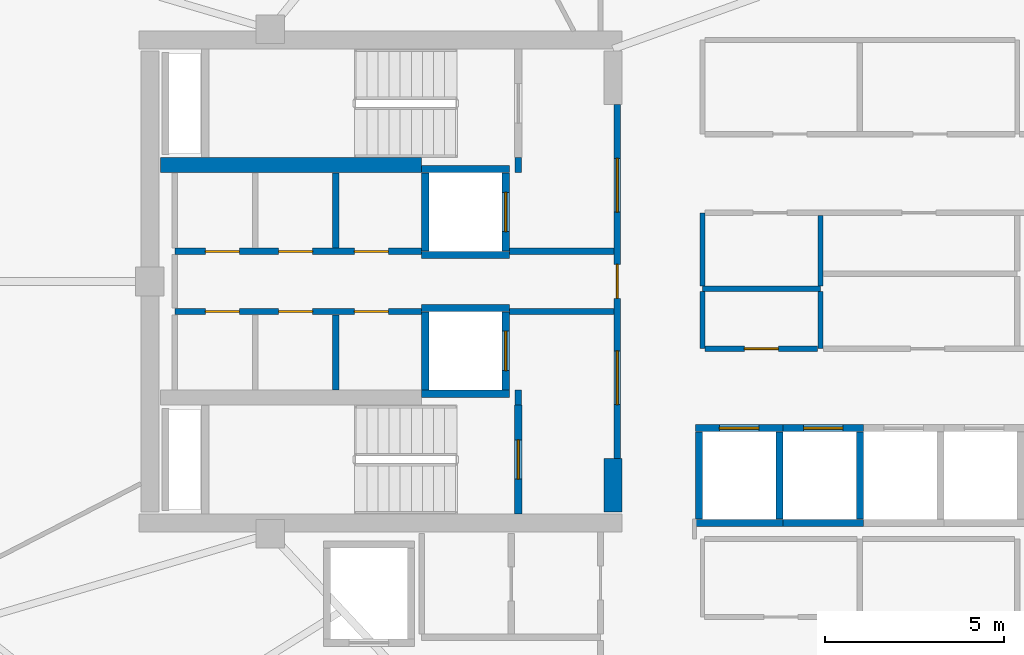
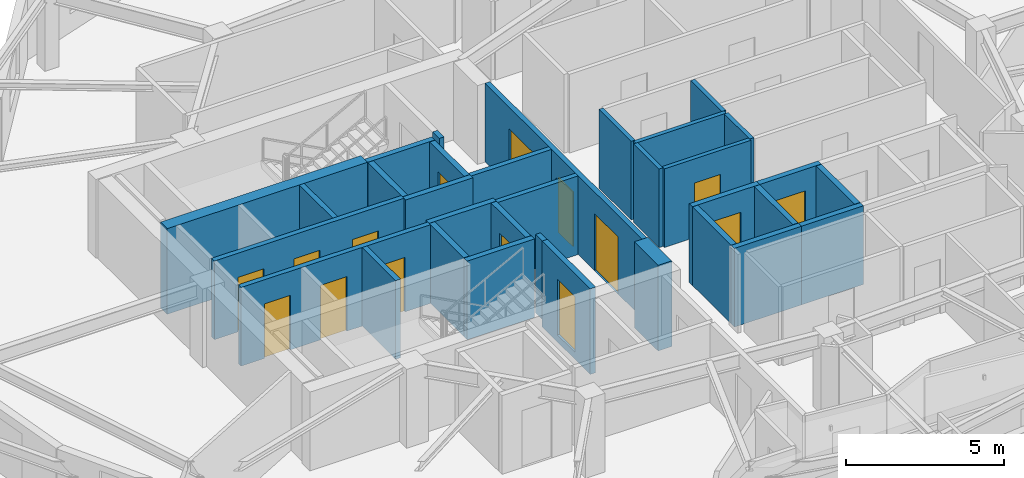
# One storey, part 4 of 14: 33 walls, 15 doors, 15 openings.
"""IFC4 building model written with IfcOpenShell, lengths in metres."""

from ifc_helpers import new_model, si_unit, direction, frame, frame_2d, origin, place, context, subcontext, project, spatial, rectangle, extrude, material, layer, layer_set, type_object, element, fill, save


model = new_model("IFC4")

# Units and contexts
model_context = context("Model", 3, precision=1e-05, world=origin(), true_north=direction((0.0, 1.0)))
body_context = subcontext(model_context, "Body", "Model", "MODEL_VIEW")
ifc_project = project(units=[si_unit("LENGTHUNIT", "METRE"), si_unit("AREAUNIT", "SQUARE_METRE"), si_unit("VOLUMEUNIT", "CUBIC_METRE"), si_unit("PLANEANGLEUNIT", "RADIAN"), si_unit("MASSUNIT", "GRAM", prefix="KILO")], contexts=[model_context])

# Site, building, storey
site_placement = place(None, origin())
site = spatial("IfcSite", under=ifc_project, at=site_placement, CompositionType="ELEMENT")
building_placement = place(site_placement, origin())
building = spatial("IfcBuilding", under=site, at=building_placement, Name="Kolvaren Gate Tower and Convention Centre", CompositionType="ELEMENT")
storey_placement = place(building_placement, frame((0.0, 0.0, 216.199951171875)))
storey = spatial("IfcBuildingStorey", under=building, at=storey_placement, Name="L57", CompositionType="ELEMENT", Elevation=216.199951171875)

# Walls
ifc_material_1 = material(Name="Autoclaved Aerated Masonry Blockwork Class 4 (4.0 MPa)", Category="masonry")
ifc_layer_1 = layer(ifc_material_1, 0.179931640625)
ifc_layer_set_1 = layer_set([ifc_layer_1], Name="Autoclaved Aerated Masonry Blockwork Class 4 (4.0 MPa)")
wall_type_1 = type_object("IfcWallType", Name="ARCH-WL-COMP-180", PredefinedType="SOLIDWALL", material=ifc_layer_set_1)
for number, where, z_axis, x_axis, name in (
    (1, (24.85009765625, 23.5400390625, 0.0), (0.0, 0.0, 1.0), (0.0, 1.0, 0.0), "Interior Partition WL-L57-INT-001"),
    (2, (24.85009765625, 30.0400390625, 0.0), (0.0, 0.0, 1.0), (0.0, 1.0, 0.0), "Interior Partition WL-L57-INT-002"),
):
    element("IfcWall", number, at=place(storey_placement, frame(where, z_axis=z_axis, x_axis=x_axis)), inside=storey, type_object=wall_type_1, Name=name, PredefinedType="SOLIDWALL", context=body_context, shape_type="SweptSolid", body=[
        extrude(rectangle(XDim=0.419921875, YDim=0.179931640625, at=frame_2d((0.2099609375, 0.0))), origin(), (0.0, 0.0, 1.0), 3.030029296875),
    ])

# Wall, openings, doors
wall_1_placement = place(storey_placement, frame((27.6201171875, 22.050048828125, 0.0), z_axis=(0.0, 0.0, 1.0), x_axis=(0.0, 1.0, 0.0)))
wall_1 = element("IfcWall", 3, at=wall_1_placement, inside=storey, type_object=wall_type_1, Name="Interior Partition WL-L57-INT-003", PredefinedType="SOLIDWALL", context=body_context, shape_type="SweptSolid", body=[
    extrude(rectangle(XDim=9.89990234375, YDim=0.179931640625, at=frame_2d((4.949951171875, 0.0))), origin(), (0.0, 0.0, 1.0), 3.030029296875),
])
opening_1_placement = place(wall_1_placement, frame((4.47509765625, 0.0, 0.0)))
opening_1 = element("IfcOpeningElement", 4, at=opening_1_placement, cuts=wall_1, Name="Opening DR-01", PredefinedType="OPENING", context=body_context, shape_type="SweptSolid", body=[
    extrude(rectangle(XDim=0.949951171875, YDim=2.10009765625, at=frame_2d((0.47509765625, 1.050048828125))), frame((0.0, 0.099853515625, 0.0), z_axis=(0.0, -1.0, 0.0), x_axis=(1.0, 0.0, 0.0)), (0.0, 0.0, 1.0), 0.199951171875),
])
opening_2_placement = place(wall_1_placement, frame((6.889892578125, 0.0, 0.0)))
opening_2 = element("IfcOpeningElement", 5, at=opening_2_placement, cuts=wall_1, Name="Opening DL-01", PredefinedType="OPENING", context=body_context, shape_type="SweptSolid", body=[
    extrude(rectangle(XDim=1.5, YDim=2.199951171875, at=frame_2d((0.75, 1.10009765625))), frame((0.0, 0.099853515625, 0.0), z_axis=(0.0, -1.0, 0.0), x_axis=(1.0, 0.0, 0.0)), (0.0, 0.0, 1.0), 0.199951171875),
])
opening_3_placement = place(wall_1_placement, frame((1.510009765625, 0.0, 0.0)))
opening_3 = element("IfcOpeningElement", 6, at=opening_3_placement, cuts=wall_1, Name="Opening DL-01", PredefinedType="OPENING", context=body_context, shape_type="SweptSolid", body=[
    extrude(rectangle(XDim=1.5, YDim=2.199951171875, at=frame_2d((0.75, 1.10009765625))), frame((0.0, 0.099853515625, 0.0), z_axis=(0.0, -1.0, 0.0), x_axis=(1.0, 0.0, 0.0)), (0.0, 0.0, 1.0), 0.199951171875),
])
ifc_material_2 = material(Name="Painted Architectural Steelwork ASTM A500 Grade C 345 MPa", Category="steel")
door_type_1 = type_object("IfcDoorType", Name="ARCH-DR-LOBBY-1500", OperationType="DOUBLE_DOOR_SINGLE_SWING", PredefinedType="DOOR", material=ifc_material_2)
door_1_placement = place(opening_2_placement, origin())
door_1 = element("IfcDoor", 7, at=door_1_placement, inside=storey, type_object=door_type_1, Name="North Firefighting Stair and Lift Lobby Door", OperationType="DOUBLE_DOOR_SINGLE_SWING", OverallHeight=2.199951171875, OverallWidth=1.5, PredefinedType="DOOR", context=body_context, shape_type="SweptSolid", body=[
    extrude(rectangle(XDim=1.5, YDim=2.199951171875, at=frame_2d((0.75, 1.10009765625))), frame((0.0, 0.02490234375, 0.0), z_axis=(0.0, -1.0, 0.0), x_axis=(1.0, 0.0, 0.0)), (0.0, 0.0, 1.0), 0.050048828125),
])
fill(opening_2, door_1)
door_2_placement = place(opening_3_placement, origin())
door_2 = element("IfcDoor", 8, at=door_2_placement, inside=storey, type_object=door_type_1, Name="South Firefighting Stair and Lift Lobby Door", OperationType="DOUBLE_DOOR_SINGLE_SWING", OverallHeight=2.199951171875, OverallWidth=1.5, PredefinedType="DOOR", context=body_context, shape_type="SweptSolid", body=[
    extrude(rectangle(XDim=1.5, YDim=2.199951171875, at=frame_2d((0.75, 1.10009765625))), frame((0.0, 0.02490234375, 0.0), z_axis=(0.0, -1.0, 0.0), x_axis=(1.0, 0.0, 0.0)), (0.0, 0.0, 1.0), 0.050048828125),
])
fill(opening_3, door_2)
door_type_2 = type_object("IfcDoorType", Name="ARCH-DR-RISER-950", OperationType="SINGLE_SWING_RIGHT", PredefinedType="DOOR", material=ifc_material_2)
door_3_placement = place(opening_1_placement, origin())
door_3 = element("IfcDoor", 9, at=door_3_placement, inside=storey, type_object=door_type_2, Name="Central MEP Service Corridor Door", OperationType="SINGLE_SWING_RIGHT", OverallHeight=2.10009765625, OverallWidth=0.949951171875, PredefinedType="DOOR", context=body_context, shape_type="SweptSolid", body=[
    extrude(rectangle(XDim=0.949951171875, YDim=2.10009765625, at=frame_2d((0.47509765625, 1.050048828125))), frame((0.0, 0.02490234375, 0.0), z_axis=(0.0, -1.0, 0.0), x_axis=(1.0, 0.0, 0.0)), (0.0, 0.0, 1.0), 0.050048828125),
])
fill(opening_1, door_3)

wall_2_placement = place(storey_placement, frame((15.25, 27.840087890625, 0.0), z_axis=(0.0, 0.0, 1.0), x_axis=(1.0, 0.0, 0.0)))
wall_2 = element("IfcWall", 10, at=wall_2_placement, inside=storey, type_object=wall_type_1, Name="Interior Partition WL-L57-INT-004", PredefinedType="SOLIDWALL", context=body_context, shape_type="SweptSolid", body=[
    extrude(rectangle(XDim=6.89990234375, YDim=0.179931640625, at=frame_2d((3.449951171875, 0.0))), origin(), (0.0, 0.0, 1.0), 3.030029296875),
])
opening_4_placement = place(wall_2_placement, frame((5.02001953125, 0.0, 0.0)))
opening_4 = element("IfcOpeningElement", 11, at=opening_4_placement, cuts=wall_2, Name="Opening DR-01", PredefinedType="OPENING", context=body_context, shape_type="SweptSolid", body=[
    extrude(rectangle(XDim=0.949951171875, YDim=2.10009765625, at=frame_2d((0.47509765625, 1.050048828125))), frame((0.0, 0.099853515625, 0.0), z_axis=(0.0, -1.0, 0.0), x_axis=(1.0, 0.0, 0.0)), (0.0, 0.0, 1.0), 0.199951171875),
])
opening_5_placement = place(wall_2_placement, frame((0.85498046875, 0.0, 0.0)))
opening_5 = element("IfcOpeningElement", 12, at=opening_5_placement, cuts=wall_2, Name="Opening DR-01", PredefinedType="OPENING", context=body_context, shape_type="SweptSolid", body=[
    extrude(rectangle(XDim=0.949951171875, YDim=2.10009765625, at=frame_2d((0.47509765625, 1.050048828125))), frame((0.0, 0.099853515625, 0.0), z_axis=(0.0, -1.0, 0.0), x_axis=(1.0, 0.0, 0.0)), (0.0, 0.0, 1.0), 0.199951171875),
])
opening_6_placement = place(wall_2_placement, frame((2.89990234375, 0.0, 0.0)))
opening_6 = element("IfcOpeningElement", 13, at=opening_6_placement, cuts=wall_2, Name="Opening DR-01", PredefinedType="OPENING", context=body_context, shape_type="SweptSolid", body=[
    extrude(rectangle(XDim=0.949951171875, YDim=2.10009765625, at=frame_2d((0.47509765625, 1.050048828125))), frame((0.0, 0.099853515625, 0.0), z_axis=(0.0, -1.0, 0.0), x_axis=(1.0, 0.0, 0.0)), (0.0, 0.0, 1.0), 0.199951171875),
])
door_4_placement = place(opening_4_placement, origin())
door_4 = element("IfcDoor", 14, at=door_4_placement, inside=storey, type_object=door_type_2, Name="Electrical Switchgear Closet Door", OperationType="SINGLE_SWING_LEFT", OverallHeight=2.10009765625, OverallWidth=0.949951171875, PredefinedType="DOOR", context=body_context, shape_type="SweptSolid", body=[
    extrude(rectangle(XDim=0.949951171875, YDim=2.10009765625, at=frame_2d((0.47509765625, 1.050048828125))), frame((0.0, 0.02490234375, 0.0), z_axis=(0.0, -1.0, 0.0), x_axis=(1.0, 0.0, 0.0)), (0.0, 0.0, 1.0), 0.050048828125),
])
fill(opening_4, door_4)
door_5_placement = place(opening_5_placement, origin())
door_5 = element("IfcDoor", 15, at=door_5_placement, inside=storey, type_object=door_type_2, Name="Staff Accessible WC Door", OperationType="SINGLE_SWING_LEFT", OverallHeight=2.10009765625, OverallWidth=0.949951171875, PredefinedType="DOOR", context=body_context, shape_type="SweptSolid", body=[
    extrude(rectangle(XDim=0.949951171875, YDim=2.10009765625, at=frame_2d((0.47509765625, 1.050048828125))), frame((0.0, 0.02490234375, 0.0), z_axis=(0.0, -1.0, 0.0), x_axis=(1.0, 0.0, 0.0)), (0.0, 0.0, 1.0), 0.050048828125),
])
fill(opening_5, door_5)
door_6_placement = place(opening_6_placement, origin())
door_6 = element("IfcDoor", 16, at=door_6_placement, inside=storey, type_object=door_type_2, Name="Housekeeping Sink Closet Door", OperationType="SINGLE_SWING_RIGHT", OverallHeight=2.10009765625, OverallWidth=0.949951171875, PredefinedType="DOOR", context=body_context, shape_type="SweptSolid", body=[
    extrude(rectangle(XDim=0.949951171875, YDim=2.10009765625, at=frame_2d((0.47509765625, 1.050048828125))), frame((0.0, 0.02490234375, 0.0), z_axis=(0.0, -1.0, 0.0), x_axis=(1.0, 0.0, 0.0)), (0.0, 0.0, 1.0), 0.050048828125),
])
fill(opening_6, door_6)

# Wall
wall_3_placement = place(storey_placement, frame((24.60009765625, 27.840087890625, 0.0), z_axis=(0.0, 0.0, 1.0), x_axis=(1.0, 0.0, 0.0)))
element("IfcWall", 17, at=wall_3_placement, inside=storey, type_object=wall_type_1, Name="Interior Partition WL-L57-INT-004 (2)", PredefinedType="SOLIDWALL", context=body_context, shape_type="SweptSolid", body=[
    extrude(rectangle(XDim=2.927978515625, YDim=0.179931640625, at=frame_2d((1.4638671875, 0.0))), origin(), (0.0, 0.0, 1.0), 3.030029296875),
])

# Wall, openings, doors
wall_4_placement = place(storey_placement, frame((15.25, 26.159912109375, 0.0), z_axis=(0.0, 0.0, 1.0), x_axis=(1.0, 0.0, 0.0)))
wall_4 = element("IfcWall", 18, at=wall_4_placement, inside=storey, type_object=wall_type_1, Name="Interior Partition WL-L57-INT-005", PredefinedType="SOLIDWALL", context=body_context, shape_type="SweptSolid", body=[
    extrude(rectangle(XDim=6.89990234375, YDim=0.179931640625, at=frame_2d((3.449951171875, 0.0))), origin(), (0.0, 0.0, 1.0), 3.030029296875),
])
opening_7_placement = place(wall_4_placement, frame((5.02001953125, 0.0, 0.0)))
opening_7 = element("IfcOpeningElement", 19, at=opening_7_placement, cuts=wall_4, Name="Opening DR-01", PredefinedType="OPENING", context=body_context, shape_type="SweptSolid", body=[
    extrude(rectangle(XDim=0.949951171875, YDim=2.10009765625, at=frame_2d((0.47509765625, 1.050048828125))), frame((0.0, 0.099853515625, 0.0), z_axis=(0.0, -1.0, 0.0), x_axis=(1.0, 0.0, 0.0)), (0.0, 0.0, 1.0), 0.199951171875),
])
opening_8_placement = place(wall_4_placement, frame((0.85498046875, 0.0, 0.0)))
opening_8 = element("IfcOpeningElement", 20, at=opening_8_placement, cuts=wall_4, Name="Opening DR-01", PredefinedType="OPENING", context=body_context, shape_type="SweptSolid", body=[
    extrude(rectangle(XDim=0.949951171875, YDim=2.10009765625, at=frame_2d((0.47509765625, 1.050048828125))), frame((0.0, 0.099853515625, 0.0), z_axis=(0.0, -1.0, 0.0), x_axis=(1.0, 0.0, 0.0)), (0.0, 0.0, 1.0), 0.199951171875),
])
opening_9_placement = place(wall_4_placement, frame((2.89990234375, 0.0, 0.0)))
opening_9 = element("IfcOpeningElement", 21, at=opening_9_placement, cuts=wall_4, Name="Opening DR-01", PredefinedType="OPENING", context=body_context, shape_type="SweptSolid", body=[
    extrude(rectangle(XDim=0.949951171875, YDim=2.10009765625, at=frame_2d((0.47509765625, 1.050048828125))), frame((0.0, 0.099853515625, 0.0), z_axis=(0.0, -1.0, 0.0), x_axis=(1.0, 0.0, 0.0)), (0.0, 0.0, 1.0), 0.199951171875),
])
door_7_placement = place(opening_7_placement, origin())
door_7 = element("IfcDoor", 22, at=door_7_placement, inside=storey, type_object=door_type_2, Name="Domestic Water Meter Closet Door", OperationType="SINGLE_SWING_RIGHT", OverallHeight=2.10009765625, OverallWidth=0.949951171875, PredefinedType="DOOR", context=body_context, shape_type="SweptSolid", body=[
    extrude(rectangle(XDim=0.949951171875, YDim=2.10009765625, at=frame_2d((0.47509765625, 1.050048828125))), frame((0.0, 0.02490234375, 0.0), z_axis=(0.0, -1.0, 0.0), x_axis=(1.0, 0.0, 0.0)), (0.0, 0.0, 1.0), 0.050048828125),
])
fill(opening_7, door_7)
door_8_placement = place(opening_8_placement, origin())
door_8 = element("IfcDoor", 23, at=door_8_placement, inside=storey, type_object=door_type_2, Name="Beverage Service Pantry Door", OperationType="SINGLE_SWING_LEFT", OverallHeight=2.10009765625, OverallWidth=0.949951171875, PredefinedType="DOOR", context=body_context, shape_type="SweptSolid", body=[
    extrude(rectangle(XDim=0.949951171875, YDim=2.10009765625, at=frame_2d((0.47509765625, 1.050048828125))), frame((0.0, 0.02490234375, 0.0), z_axis=(0.0, -1.0, 0.0), x_axis=(1.0, 0.0, 0.0)), (0.0, 0.0, 1.0), 0.050048828125),
])
fill(opening_8, door_8)
door_9_placement = place(opening_9_placement, origin())
door_9 = element("IfcDoor", 24, at=door_9_placement, inside=storey, type_object=door_type_2, Name="Archive Supply Closet Door", OperationType="SINGLE_SWING_RIGHT", OverallHeight=2.10009765625, OverallWidth=0.949951171875, PredefinedType="DOOR", context=body_context, shape_type="SweptSolid", body=[
    extrude(rectangle(XDim=0.949951171875, YDim=2.10009765625, at=frame_2d((0.47509765625, 1.050048828125))), frame((0.0, 0.02490234375, 0.0), z_axis=(0.0, -1.0, 0.0), x_axis=(1.0, 0.0, 0.0)), (0.0, 0.0, 1.0), 0.050048828125),
])
fill(opening_9, door_9)

# Walls
wall_5_placement = place(storey_placement, frame((24.60009765625, 26.159912109375, 0.0), z_axis=(0.0, 0.0, 1.0), x_axis=(1.0, 0.0, 0.0)))
element("IfcWall", 25, at=wall_5_placement, inside=storey, type_object=wall_type_1, Name="Interior Partition WL-L57-INT-005 (2)", PredefinedType="SOLIDWALL", context=body_context, shape_type="SweptSolid", body=[
    extrude(rectangle(XDim=2.927978515625, YDim=0.179931640625, at=frame_2d((1.4638671875, 0.0))), origin(), (0.0, 0.0, 1.0), 3.030029296875),
])
for number, where, z_axis, x_axis, name in (
    (26, (19.75, 23.9619140625, 0.0), (0.0, 0.0, 1.0), (0.0, 1.0, 0.0), "Interior Partition WL-L57-INT-007"),
    (27, (19.75, 27.931884765625, 0.0), (0.0, 0.0, 1.0), (0.0, 1.0, 0.0), "Interior Partition WL-L57-INT-008"),
):
    element("IfcWall", number, at=place(storey_placement, frame(where, z_axis=z_axis, x_axis=x_axis)), inside=storey, type_object=wall_type_1, Name=name, PredefinedType="SOLIDWALL", context=body_context, shape_type="SweptSolid", body=[
        extrude(rectangle(XDim=2.106201171875, YDim=0.179931640625, at=frame_2d((1.05322265625, 0.0))), origin(), (0.0, 0.0, 1.0), 3.030029296875),
    ])
ifc_layer_2 = layer(ifc_material_1, 0.199951171875)
ifc_layer_set_2 = layer_set([ifc_layer_2], Name="Autoclaved Aerated Masonry Blockwork Class 4 (4.0 MPa)")
wall_type_2 = type_object("IfcWallType", Name="ARCH-WL-SHAFT-200", PredefinedType="SOLIDWALL", material=ifc_layer_set_2)
for number, where, z_axis, x_axis, name in (
    (28, (22.14990234375, 30.139892578125, 0.0), (0.0, 0.0, 1.0), (1.0, 0.0, 0.0), "Elevator FF-01 L57 Fire Shaft Wall N"),
    (29, (22.14990234375, 27.739990234375, 0.0), (0.0, 0.0, 1.0), (1.0, 0.0, 0.0), "Elevator FF-01 L57 Fire Shaft Wall S"),
):
    element("IfcWall", number, at=place(storey_placement, frame(where, z_axis=z_axis, x_axis=x_axis)), inside=storey, type_object=wall_type_2, Name=name, PredefinedType="SOLIDWALL", context=body_context, shape_type="SweptSolid", body=[
        extrude(rectangle(XDim=2.4501953125, YDim=0.199951171875, at=frame_2d((1.22509765625, 0.0))), origin(), (0.0, 0.0, 1.0), 3.030029296875),
    ])
wall_6_placement = place(storey_placement, frame((22.25, 27.85009765625, 0.0), z_axis=(0.0, 0.0, 1.0), x_axis=(0.0, 1.0, 0.0)))
element("IfcWall", 30, at=wall_6_placement, inside=storey, type_object=wall_type_2, Name="Elevator FF-01 L57 Fire Shaft Wall W", PredefinedType="SOLIDWALL", context=body_context, shape_type="SweptSolid", body=[
    extrude(rectangle(XDim=2.179931640625, YDim=0.199951171875, at=frame_2d((1.08984375, 0.0))), origin(), (0.0, 0.0, 1.0), 3.030029296875),
])

# Wall, opening, door
wall_7_placement = place(storey_placement, frame((24.5, 27.85009765625, 0.0), z_axis=(0.0, 0.0, 1.0), x_axis=(0.0, 1.0, 0.0)))
wall_7 = element("IfcWall", 31, at=wall_7_placement, inside=storey, type_object=wall_type_2, Name="Elevator FF-01 L57 Fire Shaft Wall E", PredefinedType="SOLIDWALL", context=body_context, shape_type="SweptSolid", body=[
    extrude(rectangle(XDim=2.179931640625, YDim=0.199951171875, at=frame_2d((1.08984375, 0.0))), origin(), (0.0, 0.0, 1.0), 3.030029296875),
])
opening_10_placement = place(wall_7_placement, frame((0.5400390625, 0.0, 0.0)))
opening_10 = element("IfcOpeningElement", 32, at=opening_10_placement, cuts=wall_7, Name="Opening LD", PredefinedType="OPENING", context=body_context, shape_type="SweptSolid", body=[
    extrude(rectangle(XDim=1.10009765625, YDim=2.199951171875, at=frame_2d((0.550048828125, 1.10009765625))), frame((0.0, 0.10986328125, 0.0), z_axis=(0.0, -1.0, 0.0), x_axis=(1.0, 0.0, 0.0)), (0.0, 0.0, 1.0), 0.219970703125),
])
ifc_material_3 = material(Name="Brushed Stainless Steel Grade 316L", Category="steel")
door_type_3 = type_object("IfcDoorType", Name="ARCH-DR-LIFT-1100", OperationType="SLIDING_TO_LEFT", PredefinedType="DOOR", material=ifc_material_3)
door_10_placement = place(opening_10_placement, origin())
door_10 = element("IfcDoor", 33, at=door_10_placement, inside=storey, type_object=door_type_3, Name="Elevator FF-01 L57 Sliding Landing Door", OperationType="SLIDING_TO_LEFT", OverallHeight=2.199951171875, OverallWidth=1.10009765625, PredefinedType="DOOR", context=body_context, shape_type="SweptSolid", body=[
    extrude(rectangle(XDim=1.10009765625, YDim=2.199951171875, at=frame_2d((0.550048828125, 1.10009765625))), frame((0.0, 0.02490234375, 0.0), z_axis=(0.0, -1.0, 0.0), x_axis=(1.0, 0.0, 0.0)), (0.0, 0.0, 1.0), 0.050048828125),
])
fill(opening_10, door_10)

# Walls
for number, where, z_axis, x_axis, name in (
    (34, (22.14990234375, 26.260009765625, 0.0), (0.0, 0.0, 1.0), (1.0, 0.0, 0.0), "Elevator FF-02 L57 Fire Shaft Wall N"),
    (35, (22.14990234375, 23.860107421875, 0.0), (0.0, 0.0, 1.0), (1.0, 0.0, 0.0), "Elevator FF-02 L57 Fire Shaft Wall S"),
):
    element("IfcWall", number, at=place(storey_placement, frame(where, z_axis=z_axis, x_axis=x_axis)), inside=storey, type_object=wall_type_2, Name=name, PredefinedType="SOLIDWALL", context=body_context, shape_type="SweptSolid", body=[
        extrude(rectangle(XDim=2.4501953125, YDim=0.199951171875, at=frame_2d((1.22509765625, 0.0))), origin(), (0.0, 0.0, 1.0), 3.030029296875),
    ])
wall_8_placement = place(storey_placement, frame((22.25, 23.969970703125, 0.0), z_axis=(0.0, 0.0, 1.0), x_axis=(0.0, 1.0, 0.0)))
element("IfcWall", 36, at=wall_8_placement, inside=storey, type_object=wall_type_2, Name="Elevator FF-02 L57 Fire Shaft Wall W", PredefinedType="SOLIDWALL", context=body_context, shape_type="SweptSolid", body=[
    extrude(rectangle(XDim=2.179931640625, YDim=0.199951171875, at=frame_2d((1.08984375, 0.0))), origin(), (0.0, 0.0, 1.0), 3.030029296875),
])

# Wall, opening, door
wall_9_placement = place(storey_placement, frame((24.5, 23.969970703125, 0.0), z_axis=(0.0, 0.0, 1.0), x_axis=(0.0, 1.0, 0.0)))
wall_9 = element("IfcWall", 37, at=wall_9_placement, inside=storey, type_object=wall_type_2, Name="Elevator FF-02 L57 Fire Shaft Wall E", PredefinedType="SOLIDWALL", context=body_context, shape_type="SweptSolid", body=[
    extrude(rectangle(XDim=2.179931640625, YDim=0.199951171875, at=frame_2d((1.08984375, 0.0))), origin(), (0.0, 0.0, 1.0), 3.030029296875),
])
opening_11_placement = place(wall_9_placement, frame((0.5400390625, 0.0, 0.0)))
opening_11 = element("IfcOpeningElement", 38, at=opening_11_placement, cuts=wall_9, Name="Opening LD", PredefinedType="OPENING", context=body_context, shape_type="SweptSolid", body=[
    extrude(rectangle(XDim=1.10009765625, YDim=2.199951171875, at=frame_2d((0.550048828125, 1.10009765625))), frame((0.0, 0.10986328125, 0.0), z_axis=(0.0, -1.0, 0.0), x_axis=(1.0, 0.0, 0.0)), (0.0, 0.0, 1.0), 0.219970703125),
])
door_11_placement = place(opening_11_placement, origin())
door_11 = element("IfcDoor", 39, at=door_11_placement, inside=storey, type_object=door_type_3, Name="Elevator FF-02 L57 Sliding Landing Door", OperationType="SLIDING_TO_LEFT", OverallHeight=2.199951171875, OverallWidth=1.10009765625, PredefinedType="DOOR", context=body_context, shape_type="SweptSolid", body=[
    extrude(rectangle(XDim=1.10009765625, YDim=2.199951171875, at=frame_2d((0.550048828125, 1.10009765625))), frame((0.0, 0.02490234375, 0.0), z_axis=(0.0, -1.0, 0.0), x_axis=(1.0, 0.0, 0.0)), (0.0, 0.0, 1.0), 0.050048828125),
])
fill(opening_11, door_11)

wall_10_placement = place(storey_placement, frame((29.800048828125, 22.89990234375, 0.0), z_axis=(0.0, 0.0, 1.0), x_axis=(1.0, 0.0, 0.0)))
wall_10 = element("IfcWall", 40, at=wall_10_placement, inside=storey, type_object=wall_type_2, Name="Elevator PL-09 L57 Fire Shaft Wall N", PredefinedType="SOLIDWALL", context=body_context, shape_type="SweptSolid", body=[
    extrude(rectangle(XDim=2.449951171875, YDim=0.199951171875, at=frame_2d((1.22509765625, 0.0))), origin(), (0.0, 0.0, 1.0), 3.030029296875),
])
opening_12_placement = place(wall_10_placement, frame((0.675048828125, 0.0, 0.0)))
opening_12 = element("IfcOpeningElement", 41, at=opening_12_placement, cuts=wall_10, Name="Opening LD", PredefinedType="OPENING", context=body_context, shape_type="SweptSolid", body=[
    extrude(rectangle(XDim=1.10009765625, YDim=2.199951171875, at=frame_2d((0.550048828125, 1.10009765625))), frame((0.0, 0.10986328125, 0.0), z_axis=(0.0, -1.0, 0.0), x_axis=(1.0, 0.0, 0.0)), (0.0, 0.0, 1.0), 0.219970703125),
])
door_12_placement = place(opening_12_placement, origin())
door_12 = element("IfcDoor", 42, at=door_12_placement, inside=storey, type_object=door_type_3, Name="Elevator PL-09 L57 Sliding Landing Door", OperationType="SLIDING_TO_LEFT", OverallHeight=2.199951171875, OverallWidth=1.10009765625, PredefinedType="DOOR", context=body_context, shape_type="SweptSolid", body=[
    extrude(rectangle(XDim=1.10009765625, YDim=2.199951171875, at=frame_2d((0.550048828125, 1.10009765625))), frame((0.0, 0.02490234375, 0.0), z_axis=(0.0, -1.0, 0.0), x_axis=(1.0, 0.0, 0.0)), (0.0, 0.0, 1.0), 0.050048828125),
])
fill(opening_12, door_12)

# Walls
wall_11_placement = place(storey_placement, frame((29.800048828125, 20.25, 0.0), z_axis=(0.0, 0.0, 1.0), x_axis=(1.0, 0.0, 0.0)))
element("IfcWall", 43, at=wall_11_placement, inside=storey, type_object=wall_type_2, Name="Elevator PL-09 L57 Fire Shaft Wall S", PredefinedType="SOLIDWALL", context=body_context, shape_type="SweptSolid", body=[
    extrude(rectangle(XDim=2.449951171875, YDim=0.199951171875, at=frame_2d((1.22509765625, 0.0))), origin(), (0.0, 0.0, 1.0), 3.030029296875),
])
for number, where, z_axis, x_axis, name in (
    (44, (29.89990234375, 20.360107421875, 0.0), (0.0, 0.0, 1.0), (0.0, 1.0, 0.0), "Elevator PL-09 L57 Fire Shaft Wall W"),
    (45, (32.14990234375, 20.360107421875, 0.0), (0.0, 0.0, 1.0), (0.0, 1.0, 0.0), "Elevator PL-09 L57 Fire Shaft Wall E"),
):
    element("IfcWall", number, at=place(storey_placement, frame(where, z_axis=z_axis, x_axis=x_axis)), inside=storey, type_object=wall_type_2, Name=name, PredefinedType="SOLIDWALL", context=body_context, shape_type="SweptSolid", body=[
        extrude(rectangle(XDim=2.429931640625, YDim=0.199951171875, at=frame_2d((1.21484375, 0.0))), origin(), (0.0, 0.0, 1.0), 3.030029296875),
    ])

# Wall, opening, door
wall_12_placement = place(storey_placement, frame((32.25, 22.89990234375, 0.0), z_axis=(0.0, 0.0, 1.0), x_axis=(1.0, 0.0, 0.0)))
wall_12 = element("IfcWall", 46, at=wall_12_placement, inside=storey, type_object=wall_type_2, Name="Elevator PL-10 L57 Fire Shaft Wall N", PredefinedType="SOLIDWALL", context=body_context, shape_type="SweptSolid", body=[
    extrude(rectangle(XDim=2.25, YDim=0.199951171875, at=frame_2d((1.125, 0.0))), origin(), (0.0, 0.0, 1.0), 3.030029296875),
])
opening_13_placement = place(wall_12_placement, frame((0.574951171875, 0.0, 0.0)))
opening_13 = element("IfcOpeningElement", 47, at=opening_13_placement, cuts=wall_12, Name="Opening LD", PredefinedType="OPENING", context=body_context, shape_type="SweptSolid", body=[
    extrude(rectangle(XDim=1.10009765625, YDim=2.199951171875, at=frame_2d((0.550048828125, 1.10009765625))), frame((0.0, 0.10986328125, 0.0), z_axis=(0.0, -1.0, 0.0), x_axis=(1.0, 0.0, 0.0)), (0.0, 0.0, 1.0), 0.219970703125),
])
door_13_placement = place(opening_13_placement, origin())
door_13 = element("IfcDoor", 48, at=door_13_placement, inside=storey, type_object=door_type_3, Name="Elevator PL-10 L57 Sliding Landing Door", OperationType="SLIDING_TO_LEFT", OverallHeight=2.199951171875, OverallWidth=1.10009765625, PredefinedType="DOOR", context=body_context, shape_type="SweptSolid", body=[
    extrude(rectangle(XDim=1.10009765625, YDim=2.199951171875, at=frame_2d((0.550048828125, 1.10009765625))), frame((0.0, 0.02490234375, 0.0), z_axis=(0.0, -1.0, 0.0), x_axis=(1.0, 0.0, 0.0)), (0.0, 0.0, 1.0), 0.050048828125),
])
fill(opening_13, door_13)

# Walls
wall_13_placement = place(storey_placement, frame((32.25, 20.25, 0.0), z_axis=(0.0, 0.0, 1.0), x_axis=(1.0, 0.0, 0.0)))
element("IfcWall", 49, at=wall_13_placement, inside=storey, type_object=wall_type_2, Name="Elevator PL-10 L57 Fire Shaft Wall S", PredefinedType="SOLIDWALL", context=body_context, shape_type="SweptSolid", body=[
    extrude(rectangle(XDim=2.25, YDim=0.199951171875, at=frame_2d((1.125, 0.0))), origin(), (0.0, 0.0, 1.0), 3.030029296875),
])
wall_14_placement = place(storey_placement, frame((34.39990234375, 20.360107421875, 0.0), z_axis=(0.0, 0.0, 1.0), x_axis=(0.0, 1.0, 0.0)))
element("IfcWall", 50, at=wall_14_placement, inside=storey, type_object=wall_type_2, Name="Elevator PL-10 L57 Fire Shaft Wall E", PredefinedType="SOLIDWALL", context=body_context, shape_type="SweptSolid", body=[
    extrude(rectangle(XDim=2.429931640625, YDim=0.199951171875, at=frame_2d((1.21484375, 0.0))), origin(), (0.0, 0.0, 1.0), 3.030029296875),
])
ifc_material_4 = material(Name="Moisture-Resistant Cement-Board Acoustic Partition", Category="gypsum")
ifc_layer_3 = layer(ifc_material_4, 0.14990234375)
ifc_layer_set_3 = layer_set([ifc_layer_3], Name="Moisture-Resistant Cement-Board Acoustic Partition")
wall_type_3 = type_object("IfcWallType", Name="ARCH-WL-WET-150", PredefinedType="PARTITIONING", material=ifc_layer_set_3)
wall_15_placement = place(storey_placement, frame((30.0, 26.800048828125, 0.0), z_axis=(0.0, 0.0, 1.0), x_axis=(1.0, 0.0, 0.0)))
element("IfcWall", 51, at=wall_15_placement, inside=storey, type_object=wall_type_3, Name="Interior Partition WL-L57-INT-016", PredefinedType="PARTITIONING", context=body_context, shape_type="SweptSolid", body=[
    extrude(rectangle(XDim=3.300048828125, YDim=0.14990234375, at=frame_2d((1.64990234375, 0.0))), origin(), (0.0, 0.0, 1.0), 3.030029296875),
])
wall_16_placement = place(storey_placement, frame((30.0, 25.1201171875, 0.0), z_axis=(0.0, 0.0, 1.0), x_axis=(0.0, 1.0, 0.0)))
element("IfcWall", 52, at=wall_16_placement, inside=storey, type_object=wall_type_3, Name="Interior Partition WL-L57-INT-018", PredefinedType="PARTITIONING", context=body_context, shape_type="SweptSolid", body=[
    extrude(rectangle(XDim=1.602783203125, YDim=0.14990234375, at=frame_2d((0.80126953125, 0.0))), origin(), (0.0, 0.0, 1.0), 3.030029296875),
])
wall_17_placement = place(storey_placement, frame((30.0, 26.876953125, 0.0), z_axis=(0.0, 0.0, 1.0), x_axis=(0.0, 1.0, 0.0)))
element("IfcWall", 53, at=wall_17_placement, inside=storey, type_object=wall_type_3, Name="Interior Partition WL-L57-INT-018 (2)", PredefinedType="PARTITIONING", context=body_context, shape_type="SweptSolid", body=[
    extrude(rectangle(XDim=2.04296875, YDim=0.14990234375, at=frame_2d((1.021484375, 0.0))), origin(), (0.0, 0.0, 1.0), 3.030029296875),
])
wall_18_placement = place(storey_placement, frame((33.300048828125, 25.1201171875, 0.0), z_axis=(0.0, 0.0, 1.0), x_axis=(0.0, 1.0, 0.0)))
element("IfcWall", 54, at=wall_18_placement, inside=storey, type_object=wall_type_3, Name="Interior Partition WL-L57-INT-022", PredefinedType="PARTITIONING", context=body_context, shape_type="SweptSolid", body=[
    extrude(rectangle(XDim=1.602783203125, YDim=0.14990234375, at=frame_2d((0.80126953125, 0.0))), origin(), (0.0, 0.0, 1.0), 3.030029296875),
])
wall_19_placement = place(storey_placement, frame((33.300048828125, 26.876953125, 0.0), z_axis=(0.0, 0.0, 1.0), x_axis=(0.0, 1.0, 0.0)))
element("IfcWall", 55, at=wall_19_placement, inside=storey, type_object=wall_type_3, Name="Interior Partition WL-L57-INT-022 (2)", PredefinedType="PARTITIONING", context=body_context, shape_type="SweptSolid", body=[
    extrude(rectangle(XDim=1.966064453125, YDim=0.14990234375, at=frame_2d((0.98291015625, 0.0))), origin(), (0.0, 0.0, 1.0), 3.030029296875),
])

# Wall, opening, door
wall_20_placement = place(storey_placement, frame((30.076904296875, 25.1201171875, 0.0), z_axis=(0.0, 0.0, 1.0), x_axis=(1.0, 0.0, 0.0)))
wall_20 = element("IfcWall", 56, at=wall_20_placement, inside=storey, type_object=wall_type_3, Name="Interior Partition WL-L57-INT-023", PredefinedType="PARTITIONING", context=body_context, shape_type="SweptSolid", body=[
    extrude(rectangle(XDim=3.14599609375, YDim=0.14990234375, at=frame_2d((1.572998046875, 0.0))), origin(), (0.0, 0.0, 1.0), 3.030029296875),
])
opening_14_placement = place(wall_20_placement, frame((1.097900390625, 0.0, 0.0)))
opening_14 = element("IfcOpeningElement", 57, at=opening_14_placement, cuts=wall_20, Name="Opening DR-01", PredefinedType="OPENING", context=body_context, shape_type="SweptSolid", body=[
    extrude(rectangle(XDim=0.949951171875, YDim=2.10009765625, at=frame_2d((0.47509765625, 1.050048828125))), frame((0.0, 0.0849609375, 0.0), z_axis=(0.0, -1.0, 0.0), x_axis=(1.0, 0.0, 0.0)), (0.0, 0.0, 1.0), 0.169921875),
])
door_14_placement = place(opening_14_placement, origin())
door_14 = element("IfcDoor", 58, at=door_14_placement, inside=storey, type_object=door_type_2, Name="South Visitor Washroom Door", OperationType="SINGLE_SWING_LEFT", OverallHeight=2.10009765625, OverallWidth=0.949951171875, PredefinedType="DOOR", context=body_context, shape_type="SweptSolid", body=[
    extrude(rectangle(XDim=0.949951171875, YDim=2.10009765625, at=frame_2d((0.47509765625, 1.050048828125))), frame((0.0, 0.02490234375, 0.0), z_axis=(0.0, -1.0, 0.0), x_axis=(1.0, 0.0, 0.0)), (0.0, 0.0, 1.0), 0.050048828125),
])
fill(opening_14, door_14)

# Walls
ifc_material_5 = material(Name="Concrete C50/60", Category="concrete")
ifc_layer_4 = layer(ifc_material_5, 0.419921875)
ifc_layer_set_4 = layer_set([ifc_layer_4], Name="Concrete C50/60")
wall_type_4 = type_object("IfcWallType", Name="STR-WL-CONV-420", PredefinedType="SHEAR", material=ifc_layer_set_4)
wall_21_placement = place(storey_placement, frame((14.85009765625, 30.25, -0.27001953125), z_axis=(0.0, 0.0, 1.0), x_axis=(1.0, 0.0, 0.0)))
element("IfcWall", 59, at=wall_21_placement, inside=storey, type_object=wall_type_4, Name="Tower L57 Offset Core Shear Wall WN", PredefinedType="SHEAR", context=body_context, shape_type="SweptSolid", body=[
    extrude(rectangle(XDim=7.2998046875, YDim=0.419921875, at=frame_2d((3.64990234375, 0.0))), origin(), (0.0, 0.0, 1.0), 3.300048828125),
])
ifc_layer_5 = layer(ifc_material_5, 0.5)
ifc_layer_set_5 = layer_set([ifc_layer_5], Name="Concrete C50/60")
wall_type_5 = type_object("IfcWallType", Name="STR-WL-CORE-500", PredefinedType="SHEAR", material=ifc_layer_set_5)
wall_22_placement = place(storey_placement, frame((27.5, 20.550048828125, -0.27001953125), z_axis=(0.0, 0.0, 1.0), x_axis=(0.0, 1.0, 0.0)))
element("IfcWall", 60, at=wall_22_placement, inside=storey, type_object=wall_type_5, Name="Tower L57 Offset Core Shear Wall ES", PredefinedType="SHEAR", context=body_context, shape_type="SweptSolid", body=[
    extrude(rectangle(XDim=1.5, YDim=0.5, at=frame_2d((0.75, 0.0))), origin(), (0.0, 0.0, 1.0), 3.300048828125),
])

# Wall, opening, door
ifc_layer_6 = layer(ifc_material_5, 0.199951171875)
ifc_layer_set_6 = layer_set([ifc_layer_6], Name="Concrete C50/60")
wall_type_6 = type_object("IfcWallType", Name="STR-WL-SHAFT-200", PredefinedType="SHEAR", material=ifc_layer_set_6)
wall_23_placement = place(storey_placement, frame((24.85009765625, 20.501953125, -0.27001953125), z_axis=(0.0, 0.0, 1.0), x_axis=(0.0, 1.0, 0.0)))
wall_23 = element("IfcWall", 61, at=wall_23_placement, inside=storey, type_object=wall_type_6, Name="Tower South Exit Stair ST-T2 L57 Structural Shear Enclosure Wall NEAR", PredefinedType="SHEAR", context=body_context, shape_type="SweptSolid", body=[
    extrude(rectangle(XDim=3.0380859375, YDim=0.199951171875, at=frame_2d((1.51904296875, 0.0))), origin(), (0.0, 0.0, 1.0), 3.300048828125),
])
opening_15_placement = place(wall_23_placement, frame((0.968994140625, 0.0, 0.27001953125)))
opening_15 = element("IfcOpeningElement", 62, at=opening_15_placement, cuts=wall_23, Name="Opening DS-01", PredefinedType="OPENING", context=body_context, shape_type="SweptSolid", body=[
    extrude(rectangle(XDim=1.10009765625, YDim=2.14990234375, at=frame_2d((0.550048828125, 1.074951171875))), frame((0.0, 0.10986328125, 0.0), z_axis=(0.0, -1.0, 0.0), x_axis=(1.0, 0.0, 0.0)), (0.0, 0.0, 1.0), 0.219970703125),
])
door_type_4 = type_object("IfcDoorType", Name="ARCH-DR-STAIR-1100", OperationType="SINGLE_SWING_LEFT", PredefinedType="DOOR", material=ifc_material_2)
door_15_placement = place(opening_15_placement, origin())
door_15 = element("IfcDoor", 63, at=door_15_placement, inside=storey, type_object=door_type_4, Name="Tower South Exit Stair ST-T2 L57 Fire Exit Stair Door", OperationType="SINGLE_SWING_LEFT", OverallHeight=2.14990234375, OverallWidth=1.10009765625, PredefinedType="DOOR", context=body_context, shape_type="SweptSolid", body=[
    extrude(rectangle(XDim=1.10009765625, YDim=2.14990234375, at=frame_2d((0.550048828125, 1.074951171875))), frame((0.0, 0.02490234375, 0.0), z_axis=(0.0, -1.0, 0.0), x_axis=(1.0, 0.0, 0.0)), (0.0, 0.0, 1.0), 0.050048828125),
])
fill(opening_15, door_15)

save(model, "model.ifc")
